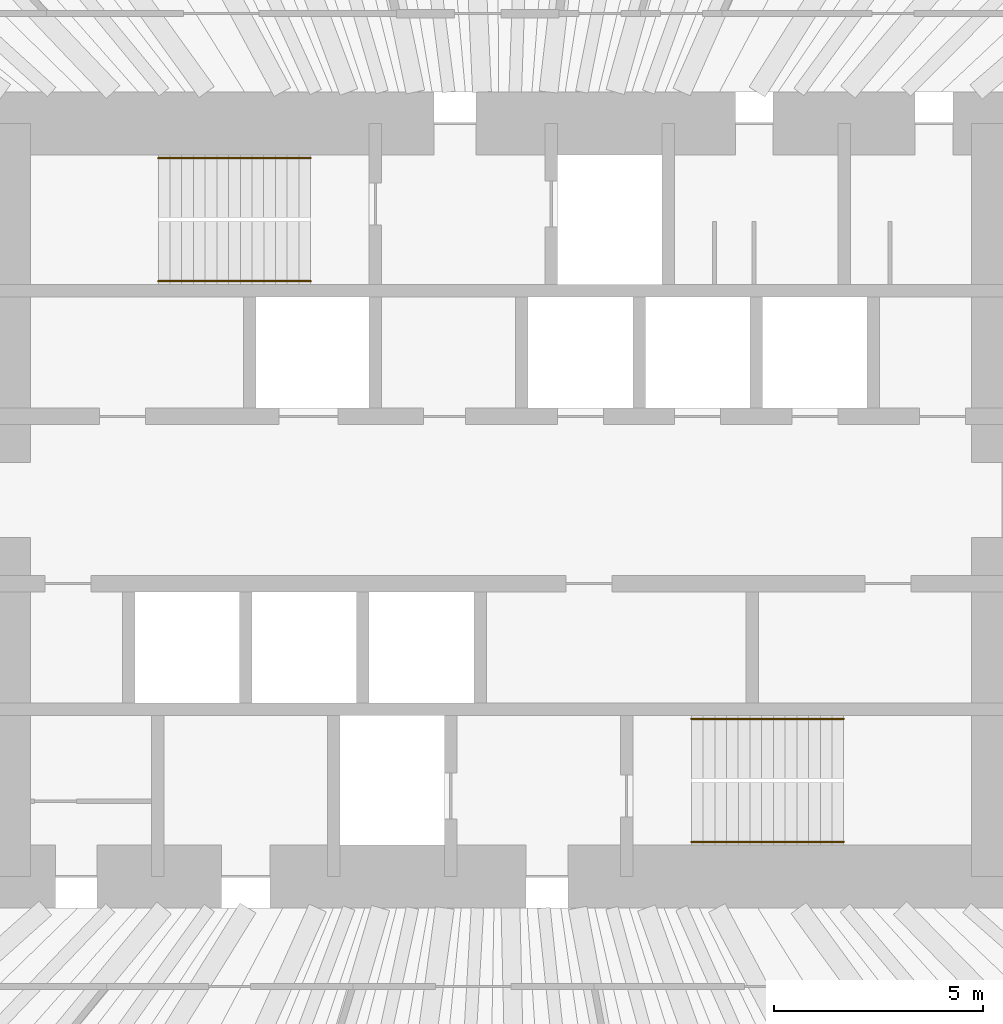
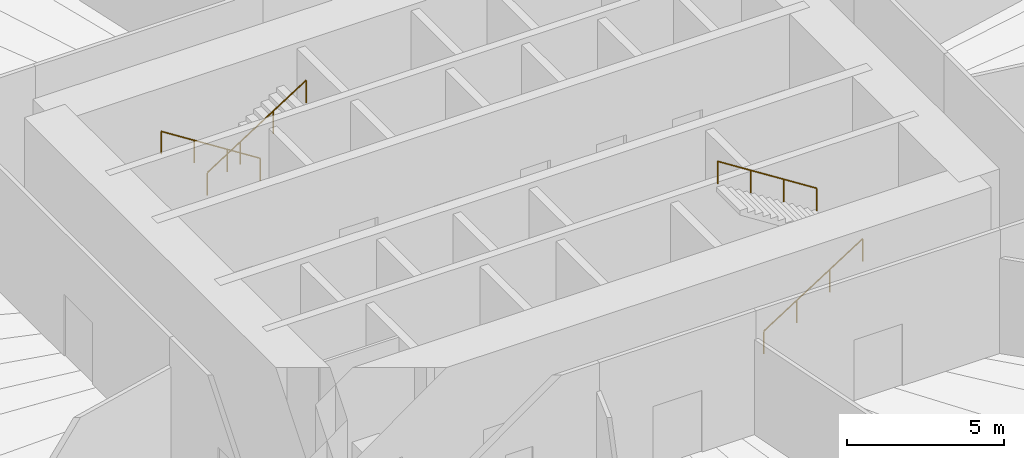
# One storey, part 13 of 13: 4 railings.
"""IFC4 building model written with IfcOpenShell, lengths in metres."""

import ifcopenshell
import ifcopenshell.guid

model = None  # the IFC model being written
_history = None  # IfcOwnerHistory: only IFC2X3 demands one
_inside = {}  # id of a spatial element -> (the spatial element, [elements in it])
_under = {}  # id of a project, library or spatial element -> (it, [spatial elements below it])
_declared = {}  # id of a project -> (the project, [libraries it declares])
_typed = {}  # id of a type object -> (the type object, [elements of that type])
_made_of = {}  # id of a material, layer set ... -> (it, [elements and type objects made of it])


def new_model(schema):
    """Start an empty IFC model of exactly this schema.

    Asked for "IFC4X3", IfcOpenShell would pick the latest addendum, in which some entities
    have other attributes; the version numbers below select the first issue.
    IFC2X3 requires an IfcOwnerHistory on every rooted entity: one is made here for all.
    """
    global model, _history
    if schema == "IFC4X3":
        model = ifcopenshell.file(schema_version=(4, 3, 0, 0))
    else:
        model = ifcopenshell.file(schema=schema)
    _inside.clear()
    _under.clear()
    _declared.clear()
    _typed.clear()
    _made_of.clear()
    _history = None
    if model.schema == "IFC2X3":
        org = make("IfcOrganization", Name="unknown")
        user = make(
            "IfcPersonAndOrganization",
            ThePerson=make("IfcPerson", FamilyName="unknown"),
            TheOrganization=org,
        )
        app = make(
            "IfcApplication",
            ApplicationDeveloper=org,
            Version="unknown",
            ApplicationFullName="unknown",
            ApplicationIdentifier="unknown",
        )
        _history = make(
            "IfcOwnerHistory",
            OwningUser=user,
            OwningApplication=app,
            ChangeAction="ADDED",
            CreationDate=0,
        )
    return model


def make(cls, **values):
    """One entity of the class cls with the attributes given. An attribute that is None is left unset."""
    return model.create_entity(
        cls, **{name: value for name, value in values.items() if value is not None}
    )


def rooted(cls, **values):
    """An entity with a GlobalId (a new one), such as an element, a storey or a relation."""
    return make(cls, GlobalId=ifcopenshell.guid.new(), OwnerHistory=_history, **values)


def si_unit(unit_type, name, prefix=None):
    """IfcSIUnit, for example si_unit("LENGTHUNIT", "METRE", prefix="MILLI")."""
    return make("IfcSIUnit", UnitType=unit_type, Prefix=prefix, Name=name)


def assignment(units):
    """IfcUnitAssignment: the units of a project."""
    return None if units is None else make("IfcUnitAssignment", Units=units)


def point(xyz):
    """IfcCartesianPoint."""
    return None if xyz is None else make("IfcCartesianPoint", Coordinates=xyz)


def direction(xyz):
    """IfcDirection."""
    return None if xyz is None else make("IfcDirection", DirectionRatios=xyz)


def frame(location, z_axis=None, x_axis=None):
    """IfcAxis2Placement3D, a coordinate frame: its origin and axes. An axis left out is left unset."""
    return make(
        "IfcAxis2Placement3D",
        Location=point(location),
        Axis=direction(z_axis),
        RefDirection=direction(x_axis),
    )


def frame_2d(location, x_axis=None):
    """IfcAxis2Placement2D, a coordinate frame in the plane: its origin and x axis."""
    return make(
        "IfcAxis2Placement2D", Location=point(location), RefDirection=direction(x_axis)
    )


def origin():
    """The frame at (0, 0, 0) with its axes left unset."""
    return frame((0.0, 0.0, 0.0))


def origin_2d():
    """The frame at (0, 0) in the plane with its x axis left unset."""
    return frame_2d((0.0, 0.0))


def place(relative_to, where):
    """IfcLocalPlacement: puts the frame where relative to a parent placement (None: the world)."""
    return make(
        "IfcLocalPlacement", PlacementRelTo=relative_to, RelativePlacement=where
    )


def context(
    kind, dimensions, precision=None, world=None, true_north=None, identifier=None
):
    """IfcGeometricRepresentationContext, for example the 3D "Model" context."""
    return make(
        "IfcGeometricRepresentationContext",
        ContextIdentifier=identifier,
        ContextType=kind,
        CoordinateSpaceDimension=dimensions,
        Precision=precision,
        WorldCoordinateSystem=world,
        TrueNorth=true_north,
    )


def subcontext(parent, identifier, kind, view, scale=None):
    """IfcGeometricRepresentationSubContext, for example "Body" below "Model"."""
    return make(
        "IfcGeometricRepresentationSubContext",
        ContextIdentifier=identifier,
        ContextType=kind,
        ParentContext=parent,
        TargetScale=scale,
        TargetView=view,
    )


def project(units=None, contexts=None):
    """IfcProject with its units and contexts."""
    return rooted(
        "IfcProject",
        Name="project",
        RepresentationContexts=contexts,
        UnitsInContext=assignment(units),
    )


def spatial(cls, under=None, at=None, **own):
    """A site, building, storey or space (cls), placed at a placement, below another one or the project."""
    s = rooted(cls, ObjectPlacement=at, **own)
    if under is not None:
        _under.setdefault(under.id(), (under, []))[1].append(s)
    return s


def profile(cls, at=None, kind="AREA", **sizes):
    """A parametric profile (cls). Its sizes go by their IFC names, for example OverallWidth=200.0."""
    return make(cls, ProfileType=kind, Position=at, **sizes)


def circle(**sizes):
    """IfcCircleProfileDef."""
    return profile("IfcCircleProfileDef", **sizes)


def extrude(swept, where, along, depth):
    """IfcExtrudedAreaSolid: the profile swept, set in the frame where, extruded along a direction by depth."""
    return make(
        "IfcExtrudedAreaSolid",
        SweptArea=swept,
        Position=where,
        ExtrudedDirection=direction(along),
        Depth=depth,
    )


def shape(context_of_items, identifier, shape_type, items):
    """IfcShapeRepresentation: the items that make up one representation, for example the "Body"."""
    return make(
        "IfcShapeRepresentation",
        ContextOfItems=context_of_items,
        RepresentationIdentifier=identifier,
        RepresentationType=shape_type,
        Items=items,
    )


def material(Name=None, Category=None):
    """IfcMaterial."""
    return make("IfcMaterial", Name=Name, Category=Category)


def made_of(thing, what):
    """Note that an element or type object is made of a material, layer set ...; save() writes the relation."""
    if what is not None:
        _made_of.setdefault(what.id(), (what, []))[1].append(thing)
    return thing


def type_object(cls, material=None, **own):
    """A type object (cls), such as IfcWallType, which elements share."""
    return made_of(rooted(cls, **own), material)


def element(
    cls,
    number,
    at=None,
    inside=None,
    cuts=None,
    type_object=None,
    material=None,
    context=None,
    identifier="Body",
    shape_type=None,
    held_by="IfcProductDefinitionShape",
    body=None,
    shapes=None,
    **own,
):
    """One element of the class cls, such as IfcWall. Its Tag is "e" and its number.

    at: its placement. inside: the storey or other place that contains it. cuts: it is an
    opening in that element (IfcRelVoidsElement). A single representation is given by context,
    identifier, shape_type and body (its items); several are given by shapes. held_by: the class
    of the entity that holds the representations. save() writes the other relations.
    """
    e = rooted(cls, Tag="e%d" % number, ObjectPlacement=at, **own)
    if body is not None:
        shapes = [shape(context, identifier, shape_type, body)]
    if shapes is not None:
        e.Representation = make(held_by, Representations=shapes)
    if inside is not None:
        _inside.setdefault(inside.id(), (inside, []))[1].append(e)
    if cuts is not None:
        rooted(
            "IfcRelVoidsElement", RelatingBuildingElement=cuts, RelatedOpeningElement=e
        )
    if type_object is not None:
        _typed.setdefault(type_object.id(), (type_object, []))[1].append(e)
    return made_of(e, material)


def aggregate(whole, parts):
    """IfcRelAggregates: a whole, such as a stair, and the parts it consists of."""
    return rooted("IfcRelAggregates", RelatingObject=whole, RelatedObjects=parts)


def save(model, path):
    """Write the relations noted so far, then the file.

    IfcRelAggregates (storeys below a building ...), IfcRelContainedInSpatialStructure (elements
    in a storey), IfcRelDefinesByType, IfcRelAssociatesMaterial and IfcRelDeclares: one each for
    every whole, place, type object, material and project.
    """
    for whole, parts in _under.values():
        aggregate(whole, parts)
    for where, things in _inside.values():
        rooted(
            "IfcRelContainedInSpatialStructure",
            RelatedElements=things,
            RelatingStructure=where,
        )
    for kind, things in _typed.values():
        rooted("IfcRelDefinesByType", RelatedObjects=things, RelatingType=kind)
    for what, things in _made_of.values():
        rooted("IfcRelAssociatesMaterial", RelatedObjects=things, RelatingMaterial=what)
    for by, libraries in _declared.values():
        rooted("IfcRelDeclares", RelatingContext=by, RelatedDefinitions=libraries)
    model.write(path)


model = new_model("IFC4")

# Units and contexts
model_context = context("Model", 3, precision=1e-05, world=origin(), true_north=direction((0.0, 1.0)))
body_context = subcontext(model_context, "Body", "Model", "MODEL_VIEW")
ifc_project = project(units=[si_unit("LENGTHUNIT", "METRE"), si_unit("AREAUNIT", "SQUARE_METRE"), si_unit("VOLUMEUNIT", "CUBIC_METRE"), si_unit("PLANEANGLEUNIT", "RADIAN"), si_unit("MASSUNIT", "GRAM", prefix="KILO")], contexts=[model_context])

# Site, building, storey
site_placement = place(None, origin())
site = spatial("IfcSite", under=ifc_project, at=site_placement, CompositionType="ELEMENT")
building_placement = place(site_placement, origin())
building = spatial("IfcBuilding", under=site, at=building_placement, Name="Qingtian Harvest Tower", CompositionType="ELEMENT")
storey_placement = place(building_placement, frame((0.0, 0.0, 72.0)))
storey = spatial("IfcBuildingStorey", under=building, at=storey_placement, Name="L14", CompositionType="ELEMENT", Elevation=72.0)

# Railings
ifc_material = material(Name="Stainless steel handrail", Category="steel")
railing_type = type_object("IfcRailingType", Name="Handrail HR1", PredefinedType="HANDRAIL", material=ifc_material)
railing_1_placement = place(storey_placement, frame((-4.550048828125, 8.169921875, 0.178466796875)))
element("IfcRailing", 1, at=railing_1_placement, inside=storey, type_object=railing_type, Name="Handrail HR1 S1 flight 1", PredefinedType="HANDRAIL", context=body_context, shape_type="SweptSolid", body=[
    extrude(circle(Radius=0.02392578125, at=origin_2d()), frame((0.0, 0.0, 0.8759765625), z_axis=(-0.843111507901, 0.0, 0.53773877045), x_axis=(0.0, -1.0, 0.0)), (0.0, 0.0, 1.0), 4.317138671875),
    extrude(circle(Radius=0.02099609375, at=origin_2d()), origin(), (0.0, 0.0, 1.0), 0.851806640625),
    extrude(circle(Radius=0.02099609375, at=origin_2d()), frame((-1.21337890625, 0.0, 0.77392578125)), (0.0, 0.0, 1.0), 0.851806640625),
    extrude(circle(Radius=0.02099609375, at=origin_2d()), frame((-2.426513671875, 0.0, 1.547607421875)), (0.0, 0.0, 1.0), 0.851806640625),
    extrude(circle(Radius=0.02099609375, at=origin_2d()), frame((-3.639892578125, 0.0, 2.321533203125)), (0.0, 0.0, 1.0), 0.851806640625),
])
for number, where, name in (
    (2, (-8.18994140625, 5.22998046875, 2.678466796875), "Handrail HR1 S1 flight 2"),
    (3, (4.550048828125, -8.169921875, 0.178466796875), "Handrail HR1 S2 flight 1"),
):
    element("IfcRailing", number, at=place(storey_placement, frame(where)), inside=storey, type_object=railing_type, Name=name, PredefinedType="HANDRAIL", context=body_context, shape_type="SweptSolid", body=[
        extrude(circle(Radius=0.02392578125, at=origin_2d()), frame((0.0, 0.0, 0.8759765625), z_axis=(0.843111507901, 0.0, 0.53773877045), x_axis=(0.0, 1.0, 0.0)), (0.0, 0.0, 1.0), 4.317138671875),
        extrude(circle(Radius=0.02099609375, at=origin_2d()), origin(), (0.0, 0.0, 1.0), 0.851806640625),
        extrude(circle(Radius=0.02099609375, at=origin_2d()), frame((1.21337890625, 0.0, 0.77392578125)), (0.0, 0.0, 1.0), 0.851806640625),
        extrude(circle(Radius=0.02099609375, at=origin_2d()), frame((2.426513671875, 0.0, 1.547607421875)), (0.0, 0.0, 1.0), 0.851806640625),
        extrude(circle(Radius=0.02099609375, at=origin_2d()), frame((3.639892578125, 0.0, 2.321533203125)), (0.0, 0.0, 1.0), 0.851806640625),
    ])
railing_2_placement = place(storey_placement, frame((8.18994140625, -5.22998046875, 2.678466796875)))
element("IfcRailing", 4, at=railing_2_placement, inside=storey, type_object=railing_type, Name="Handrail HR1 S2 flight 2", PredefinedType="HANDRAIL", context=body_context, shape_type="SweptSolid", body=[
    extrude(circle(Radius=0.02392578125, at=origin_2d()), frame((0.0, 0.0, 0.8759765625), z_axis=(-0.843111507901, 0.0, 0.53773877045), x_axis=(0.0, -1.0, 0.0)), (0.0, 0.0, 1.0), 4.317138671875),
    extrude(circle(Radius=0.02099609375, at=origin_2d()), origin(), (0.0, 0.0, 1.0), 0.851806640625),
    extrude(circle(Radius=0.02099609375, at=origin_2d()), frame((-1.21337890625, 0.0, 0.77392578125)), (0.0, 0.0, 1.0), 0.851806640625),
    extrude(circle(Radius=0.02099609375, at=origin_2d()), frame((-2.426513671875, 0.0, 1.547607421875)), (0.0, 0.0, 1.0), 0.851806640625),
    extrude(circle(Radius=0.02099609375, at=origin_2d()), frame((-3.639892578125, 0.0, 2.321533203125)), (0.0, 0.0, 1.0), 0.851806640625),
])

save(model, "model.ifc")
